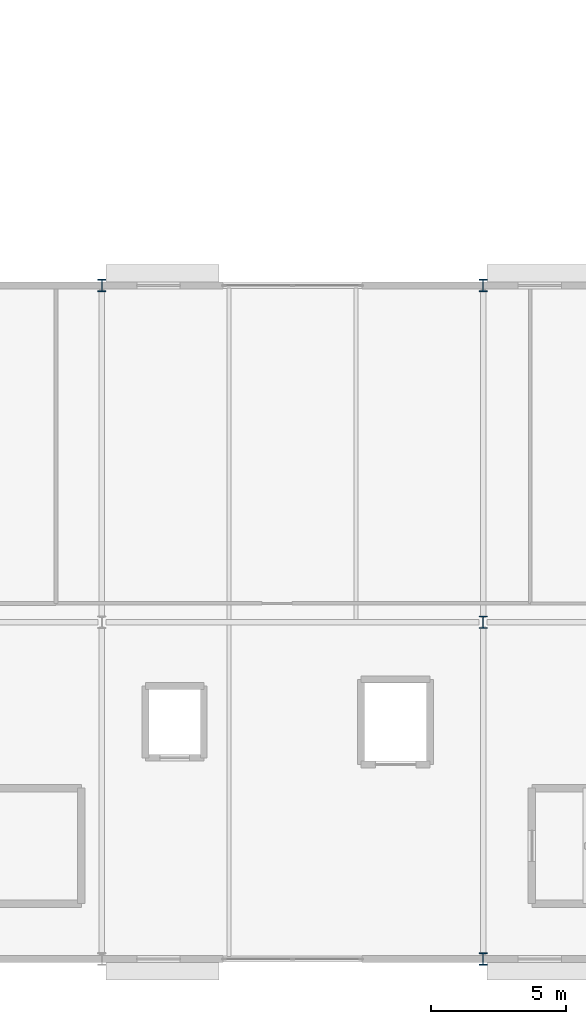
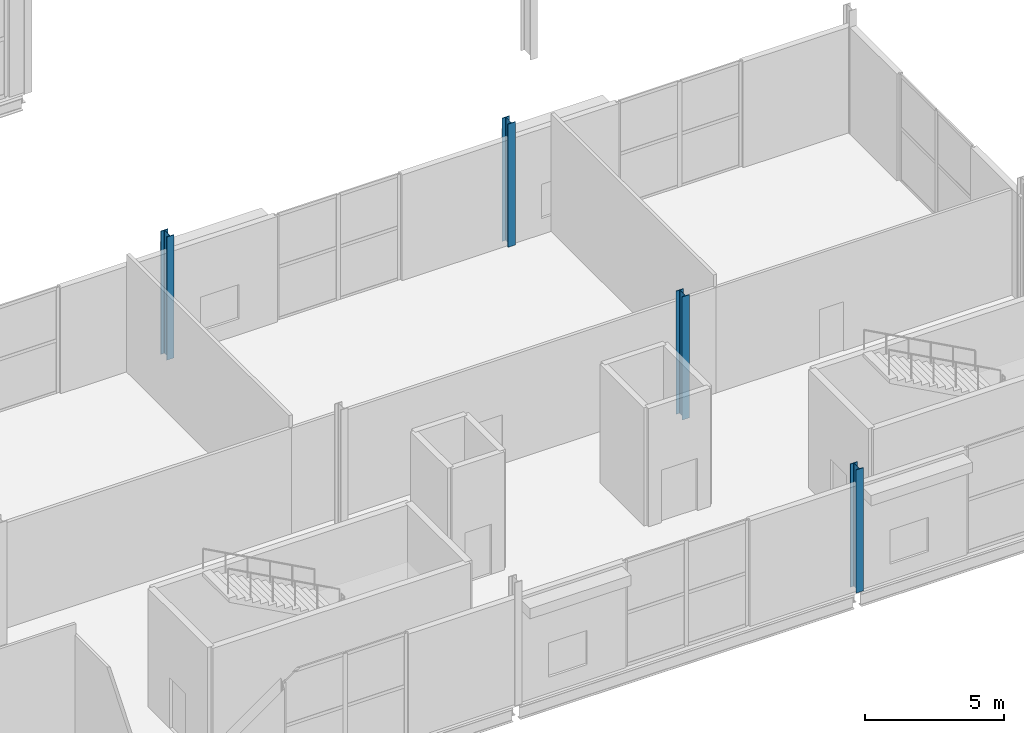
# One storey, part 10 of 84: 4 columns.
"""IFC4 building model written with IfcOpenShell, lengths in metres."""

from ifc_helpers import new_model, si_unit, direction, frame, origin, origin_2d, place, context, subcontext, project, spatial, i_section, extrude, material, material_profile, profile_set, type_object, element, save


model = new_model("IFC4")

# Units and contexts
model_context = context("Model", 3, precision=1e-05, world=origin(), true_north=direction((0.0, 1.0)))
body_context = subcontext(model_context, "Body", "Model", "MODEL_VIEW")
ifc_project = project(units=[si_unit("LENGTHUNIT", "METRE"), si_unit("AREAUNIT", "SQUARE_METRE"), si_unit("VOLUMEUNIT", "CUBIC_METRE"), si_unit("PLANEANGLEUNIT", "RADIAN"), si_unit("MASSUNIT", "GRAM", prefix="KILO")], contexts=[model_context])

# Site, building, storey
site_placement = place(None, origin())
site = spatial("IfcSite", under=ifc_project, at=site_placement, CompositionType="ELEMENT")
building_placement = place(site_placement, origin())
building = spatial("IfcBuilding", under=site, at=building_placement, Name="Kimbaza Rail Terminus", CompositionType="ELEMENT")
storey_placement = place(building_placement, frame((0.0, 0.0, 5.39990234375)))
storey = spatial("IfcBuildingStorey", under=building, at=storey_placement, Name="L01", CompositionType="ELEMENT", Elevation=5.39990234375)

# Columns
ifc_material = material(Name="Steel S355", Category="steel")
ifc_material_profile = material_profile(ifc_material, i_section(OverallWidth=0.300048828125, OverallDepth=0.449951171875, WebThickness=0.013916015625, FlangeThickness=0.02587890625, FilletRadius=0.027099609375, at=origin_2d()), Name="HEB 450")
ifc_profile_set = profile_set([ifc_material_profile], Name="Steel S355")
column_type = type_object("IfcColumnType", Name="STR-COL-HEB450", PredefinedType="COLUMN", material=ifc_profile_set)
for number, where, z_axis, x_axis, name in (
    (1, (185.699951171875, 38.0, 0.0), (0.0, 0.0, 1.0), (1.0, 0.0, 0.0), "Retail Pavilion Column L01 (2,2)"),
    (2, (199.85009765625, 13.0, 0.0), (0.0, 0.0, 1.0), (1.0, 0.0, 0.0), "Retail Pavilion Column L01 (3,0)"),
    (3, (199.85009765625, 25.5, 0.0), (0.0, 0.0, 1.0), (1.0, 0.0, 0.0), "Retail Pavilion Column L01 (3,1)"),
    (4, (199.85009765625, 38.0, 0.0), (0.0, 0.0, 1.0), (1.0, 0.0, 0.0), "Retail Pavilion Column L01 (3,2)"),
):
    element("IfcColumn", number, at=place(storey_placement, frame(where, z_axis=z_axis, x_axis=x_axis)), inside=storey, type_object=column_type, Name=name, PredefinedType="COLUMN", context=body_context, shape_type="SweptSolid", body=[
        extrude(i_section(OverallWidth=0.300048828125, OverallDepth=0.449951171875, WebThickness=0.013916015625, FlangeThickness=0.02587890625, FilletRadius=0.027099609375, at=origin_2d()), origin(), (0.0, 0.0, 1.0), 5.400146484375),
    ])

save(model, "model.ifc")
